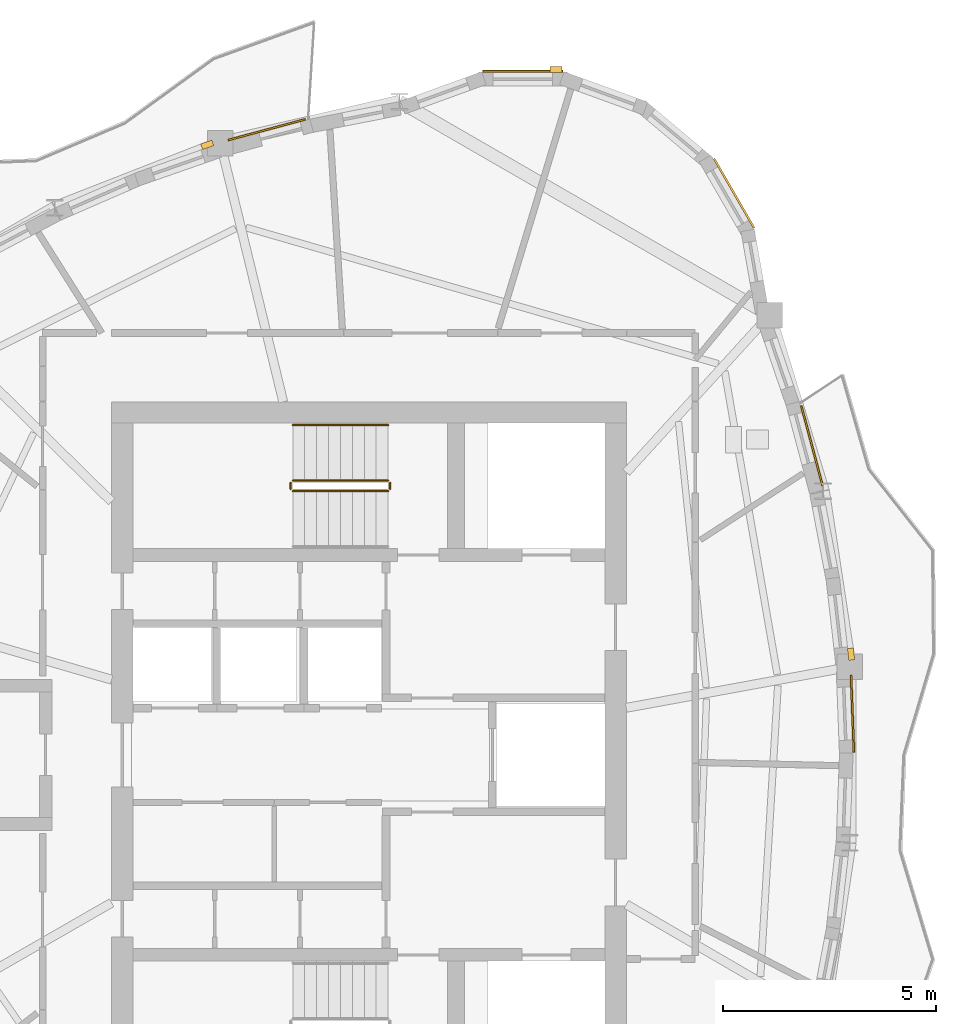
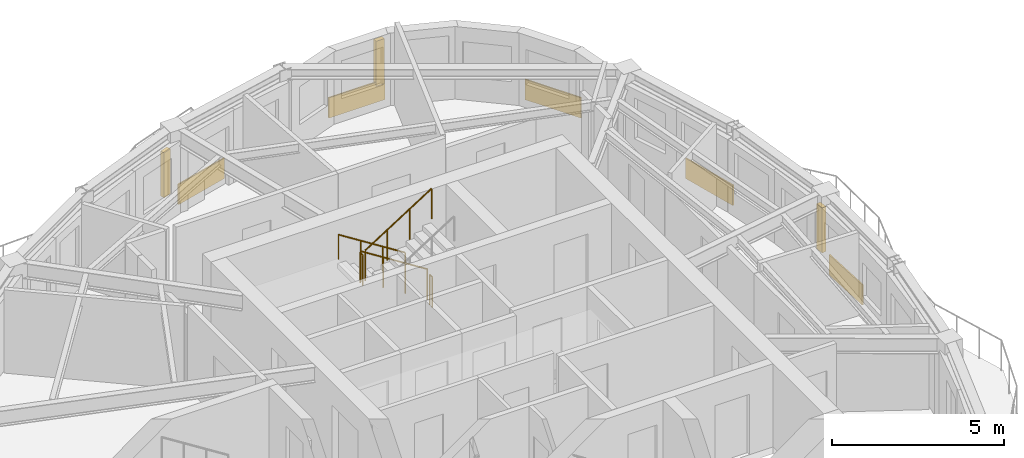
# One storey, part 10 of 11: 5 coverings, 5 railings, 3 shading devices.
"""IFC4 building model written with IfcOpenShell, lengths in metres."""

from ifc_helpers import new_model, si_unit, direction, frame, origin, origin_2d, place, context, subcontext, project, spatial, rectangle, circle, extrude, source, transform, mapped, material, layer, layer_set, type_object, element, save


model = new_model("IFC4")

# Units and contexts
model_context = context("Model", 3, precision=1e-05, world=origin(), true_north=direction((0.0, 1.0)))
body_context = subcontext(model_context, "Body", "Model", "MODEL_VIEW")
ifc_project = project(units=[si_unit("LENGTHUNIT", "METRE"), si_unit("AREAUNIT", "SQUARE_METRE"), si_unit("VOLUMEUNIT", "CUBIC_METRE"), si_unit("PLANEANGLEUNIT", "RADIAN"), si_unit("MASSUNIT", "GRAM", prefix="KILO")], contexts=[model_context])

# Site, building, storey
site_placement = place(None, origin())
site = spatial("IfcSite", under=ifc_project, at=site_placement, CompositionType="ELEMENT")
building_placement = place(site_placement, origin())
building = spatial("IfcBuilding", under=site, at=building_placement, Name="Qafzar Sky-Pleat Residences", CompositionType="ELEMENT")
storey_placement = place(building_placement, frame((0.0, 0.0, 246.800048828125)))
storey = spatial("IfcBuildingStorey", under=building, at=storey_placement, Name="L74", CompositionType="ELEMENT", Elevation=246.800048828125)

# Shading devices
ifc_material_1 = material(Name="Honed Riyadh limestone solar fin", Category="masonry")
ifc_layer_1 = layer(ifc_material_1, 0.139892578125)
ifc_layer_set_1 = layer_set([ifc_layer_1], Name="Honed Riyadh limestone solar fin")
shading_device_type = type_object("IfcShadingDeviceType", Name="SHD-FIN-STONE", PredefinedType="SHUTTER", material=ifc_layer_set_1)
shared_shape_1 = source(origin(), body_context, "Body", "SweptSolid", [
    extrude(rectangle(XDim=0.139892578125, YDim=0.280029296875, at=origin_2d()), origin(), (0.0, 0.0, 1.0), 1.60009765625),
])
for number, where, z_axis, x_axis, name in (
    (1, (41.68408203125, 28.366943359375, 0.599853515625), (0.0, 0.0, 1.0), (0.99356253732, 0.113284970031, 0.0), "L74 Limestone Solar Fin 29"),
    (2, (34.74755859375, 42.11279296875, 0.599853515625), (0.0, 0.0, 1.0), (0.0, 1.0, 0.0), "L74 Limestone Solar Fin 37"),
    (3, (26.548095703125, 40.3408203125, 0.599853515625), (0.0, 0.0, 1.0), (-0.329526843357, 0.944146206637, 0.0), "L74 Limestone Solar Fin 41"),
):
    element("IfcShadingDevice", number, at=place(storey_placement, frame(where, z_axis=z_axis, x_axis=x_axis)), inside=storey, type_object=shading_device_type, Name=name, PredefinedType="SHUTTER", context=body_context, shape_type="MappedRepresentation", body=[
        mapped(shared_shape_1, transform((0.0, 0.0, 0.0), x_axis=(1.0, 0.0, 0.0), y_axis=(0.0, 1.0, 0.0), z_axis=(0.0, 0.0, 1.0), scale=1.0)),
    ])

# Coverings
ifc_material_2 = material(Name="Honed Riyadh Tuwaiq limestone cladding", Category="masonry")
ifc_layer_2 = layer(ifc_material_2, 0.044921875)
ifc_layer_set_2 = layer_set([ifc_layer_2], Name="Honed Riyadh Tuwaiq limestone cladding")
covering_type = type_object("IfcCoveringType", Name="COV-CLAD-STONE", PredefinedType="CLADDING", material=ifc_layer_set_2)
shared_shape_2 = source(origin(), body_context, "Body", "SweptSolid", [
    extrude(rectangle(XDim=1.88134765625, YDim=0.044921875, at=origin_2d()), origin(), (0.0, 0.0, 1.0), 0.719970703125),
])
for number, where, z_axis, x_axis, name in (
    (4, (38.93310546875, 39.202880859375, 0.02001953125), (0.0, 0.0, 1.0), (-0.499972303345, 0.866041393865, 0.0), "L74 Riyadh Limestone Spandrel Cladding 34"),
    (5, (33.967529296875, 42.06982421875, 0.02001953125), (0.0, 0.0, 1.0), (-1.0, 0.0, 0.0), "L74 Riyadh Limestone Spandrel Cladding 37"),
):
    element("IfcCovering", number, at=place(storey_placement, frame(where, z_axis=z_axis, x_axis=x_axis)), inside=storey, type_object=covering_type, Name=name, PredefinedType="CLADDING", context=body_context, shape_type="MappedRepresentation", body=[
        mapped(shared_shape_2, transform((0.0, 0.0, 0.0), x_axis=(1.0, 0.0, 0.0), y_axis=(0.0, 1.0, 0.0), z_axis=(0.0, 0.0, 1.0), scale=1.0)),
    ])
shared_shape_3 = source(origin(), body_context, "Body", "SweptSolid", [
    extrude(rectangle(XDim=1.81494140625, YDim=0.044921875, at=origin_2d()), origin(), (0.0, 0.0, 1.0), 0.719970703125),
])
covering_1_placement = place(storey_placement, frame((41.716552734375, 26.970458984375, 0.02001953125), z_axis=(0.0, 0.0, 1.0), x_axis=(-0.037983685152, 0.999278359449, 0.0)))
element("IfcCovering", 6, at=covering_1_placement, inside=storey, type_object=covering_type, Name="L74 Riyadh Limestone Spandrel Cladding 28", PredefinedType="CLADDING", context=body_context, shape_type="MappedRepresentation", body=[
    mapped(shared_shape_3, transform((0.0, 0.0, 0.0), x_axis=(1.0, 0.0, 0.0), y_axis=(0.0, 1.0, 0.0), z_axis=(0.0, 0.0, 1.0), scale=1.0)),
])
shared_shape_4 = source(origin(), body_context, "Body", "SweptSolid", [
    extrude(rectangle(XDim=1.94140625, YDim=0.044921875, at=origin_2d()), origin(), (0.0, 0.0, 1.0), 0.719970703125),
])
covering_2_placement = place(storey_placement, frame((40.76318359375, 33.268798828125, 0.02001953125), z_axis=(0.0, 0.0, 1.0), x_axis=(-0.257059551248, 0.966395564514, 0.0)))
element("IfcCovering", 7, at=covering_2_placement, inside=storey, type_object=covering_type, Name="L74 Riyadh Limestone Spandrel Cladding 31", PredefinedType="CLADDING", context=body_context, shape_type="MappedRepresentation", body=[
    mapped(shared_shape_4, transform((0.0, 0.0, 0.0), x_axis=(1.0, 0.0, 0.0), y_axis=(0.0, 1.0, 0.0), z_axis=(0.0, 0.0, 1.0), scale=1.0)),
])
shared_shape_5 = source(origin(), body_context, "Body", "SweptSolid", [
    extrude(rectangle(XDim=1.87841796875, YDim=0.044921875, at=origin_2d()), origin(), (0.0, 0.0, 1.0), 0.719970703125),
])
covering_3_placement = place(storey_placement, frame((27.947265625, 40.69677734375, 0.02001953125), z_axis=(0.0, 0.0, 1.0), x_axis=(-0.965459220277, -0.260554205458, 0.0)))
element("IfcCovering", 8, at=covering_3_placement, inside=storey, type_object=covering_type, Name="L74 Riyadh Limestone Spandrel Cladding 40", PredefinedType="CLADDING", context=body_context, shape_type="MappedRepresentation", body=[
    mapped(shared_shape_5, transform((0.0, 0.0, 0.0), x_axis=(1.0, 0.0, 0.0), y_axis=(0.0, 1.0, 0.0), z_axis=(0.0, 0.0, 1.0), scale=1.0)),
])

# Railings
ifc_material_3 = material(Name="Painted Steel S355 stair guardrail", Category="steel")
railing_type_1 = type_object("IfcRailingType", Name="RAIL-STAIR-GUARD", PredefinedType="GUARDRAIL", material=ifc_material_3)
shared_shape_6 = source(origin(), body_context, "Body", "SweptSolid", [
    extrude(circle(Radius=0.02392578125, at=origin_2d()), frame((0.0, 0.0, 1.076171875), z_axis=(0.0, -1.0, 0.0), x_axis=(1.0, 0.0, 0.0)), (0.0, 0.0, 1.0), 0.14990234375),
    extrude(circle(Radius=0.02099609375, at=origin_2d()), origin(), (0.0, 0.0, 1.0), 1.052001953125),
    extrude(circle(Radius=0.02099609375, at=origin_2d()), frame((0.0, -0.14990234375, 0.0)), (0.0, 0.0, 1.0), 1.052001953125),
])
for number, where, name in (
    (9, (28.510009765625, 32.39990234375, 1.599853515625), "L74 ST2 stair guard 2"),
    (10, (30.85009765625, 32.39990234375, 0.0), "L74 ST2 stair guard 4"),
):
    element("IfcRailing", number, at=place(storey_placement, frame(where)), inside=storey, type_object=railing_type_1, Name=name, PredefinedType="GUARDRAIL", context=body_context, shape_type="MappedRepresentation", body=[
        mapped(shared_shape_6, transform((0.0, 0.0, 0.0), x_axis=(1.0, 0.0, 0.0), y_axis=(0.0, 1.0, 0.0), z_axis=(0.0, 0.0, 1.0), scale=1.0)),
    ])
shared_shape_7 = source(origin(), body_context, "Body", "SweptSolid", [
    extrude(circle(Radius=0.02392578125, at=origin_2d()), frame((0.0, 0.0, 1.076171875), z_axis=(-0.8442293374, 0.0, 0.53598211339), x_axis=(0.0, -1.0, 0.0)), (0.0, 0.0, 1.0), 2.6533203125),
    extrude(circle(Radius=0.02099609375, at=origin_2d()), origin(), (0.0, 0.0, 1.0), 1.052001953125),
    extrude(circle(Radius=0.02099609375, at=origin_2d()), frame((-0.74658203125, 0.0, 0.47412109375)), (0.0, 0.0, 1.0), 1.052001953125),
    extrude(circle(Radius=0.02099609375, at=origin_2d()), frame((-1.493408203125, 0.0, 0.947998046875)), (0.0, 0.0, 1.0), 1.052001953125),
    extrude(circle(Radius=0.02099609375, at=origin_2d()), frame((-2.239990234375, 0.0, 1.422119140625)), (0.0, 0.0, 1.0), 1.052001953125),
])
railing_1_placement = place(storey_placement, frame((30.800048828125, 32.449951171875, 0.177734375)))
element("IfcRailing", 11, at=railing_1_placement, inside=storey, type_object=railing_type_1, Name="L74 ST2 stair guard 1", PredefinedType="GUARDRAIL", context=body_context, shape_type="MappedRepresentation", body=[
    mapped(shared_shape_7, transform((0.0, 0.0, 0.0), x_axis=(1.0, 0.0, 0.0), y_axis=(0.0, 1.0, 0.0), z_axis=(0.0, 0.0, 1.0), scale=1.0)),
])
shared_shape_8 = source(origin(), body_context, "Body", "SweptSolid", [
    extrude(circle(Radius=0.02392578125, at=origin_2d()), frame((0.0, 0.0, 1.076171875), z_axis=(0.8442293374, 0.0, 0.53598211339), x_axis=(0.0, 1.0, 0.0)), (0.0, 0.0, 1.0), 2.6533203125),
    extrude(circle(Radius=0.02099609375, at=origin_2d()), origin(), (0.0, 0.0, 1.0), 1.052001953125),
    extrude(circle(Radius=0.02099609375, at=origin_2d()), frame((0.74658203125, 0.0, 0.47412109375)), (0.0, 0.0, 1.0), 1.052001953125),
    extrude(circle(Radius=0.02099609375, at=origin_2d()), frame((1.493408203125, 0.0, 0.947998046875)), (0.0, 0.0, 1.0), 1.052001953125),
    extrude(circle(Radius=0.02099609375, at=origin_2d()), frame((2.239990234375, 0.0, 1.422119140625)), (0.0, 0.0, 1.0), 1.052001953125),
])
railing_2_placement = place(storey_placement, frame((28.56005859375, 32.199951171875, 1.77783203125)))
element("IfcRailing", 12, at=railing_2_placement, inside=storey, type_object=railing_type_1, Name="L74 ST2 stair guard 3", PredefinedType="GUARDRAIL", context=body_context, shape_type="MappedRepresentation", body=[
    mapped(shared_shape_8, transform((0.0, 0.0, 0.0), x_axis=(1.0, 0.0, 0.0), y_axis=(0.0, 1.0, 0.0), z_axis=(0.0, 0.0, 1.0), scale=1.0)),
])
ifc_material_4 = material(Name="Brushed stainless steel handrail", Category="steel")
railing_type_2 = type_object("IfcRailingType", Name="RAIL-STAIR-HAND", PredefinedType="HANDRAIL", material=ifc_material_4)
shared_shape_9 = source(origin(), body_context, "Body", "SweptSolid", [
    extrude(circle(Radius=0.02392578125, at=origin_2d()), frame((0.0, 0.0, 0.8759765625), z_axis=(-0.8442293374, 0.0, 0.53598211339), x_axis=(0.0, -1.0, 0.0)), (0.0, 0.0, 1.0), 2.6533203125),
    extrude(circle(Radius=0.02099609375, at=origin_2d()), origin(), (0.0, 0.0, 1.0), 0.851806640625),
    extrude(circle(Radius=0.02099609375, at=origin_2d()), frame((-0.74658203125, 0.0, 0.47412109375)), (0.0, 0.0, 1.0), 0.851806640625),
    extrude(circle(Radius=0.02099609375, at=origin_2d()), frame((-1.493408203125, 0.0, 0.947998046875)), (0.0, 0.0, 1.0), 0.851806640625),
    extrude(circle(Radius=0.02099609375, at=origin_2d()), frame((-2.239990234375, 0.0, 1.422119140625)), (0.0, 0.0, 1.0), 0.851806640625),
])
railing_3_placement = place(storey_placement, frame((30.800048828125, 33.75, 0.177734375)))
element("IfcRailing", 13, at=railing_3_placement, inside=storey, type_object=railing_type_2, Name="L74 ST2 stair handrail 1", PredefinedType="HANDRAIL", context=body_context, shape_type="MappedRepresentation", body=[
    mapped(shared_shape_9, transform((0.0, 0.0, 0.0), x_axis=(1.0, 0.0, 0.0), y_axis=(0.0, 1.0, 0.0), z_axis=(0.0, 0.0, 1.0), scale=1.0)),
])

save(model, "model.ifc")
